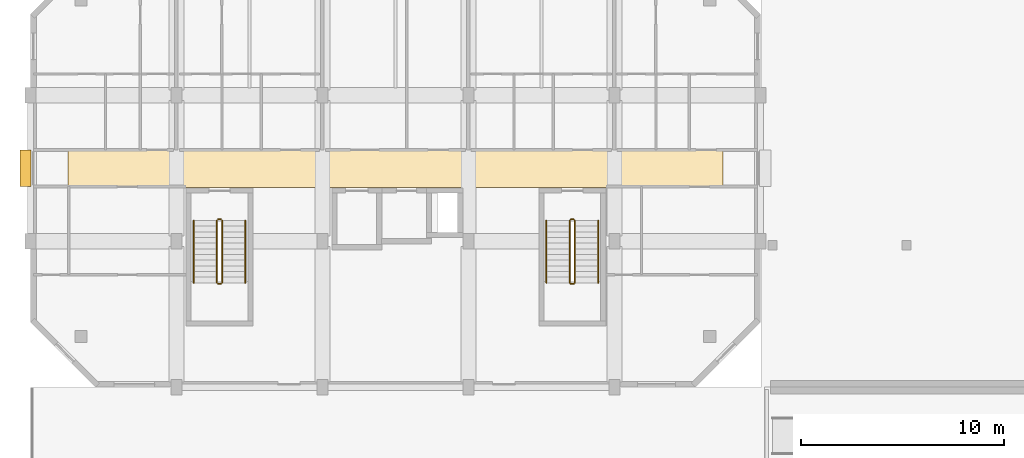
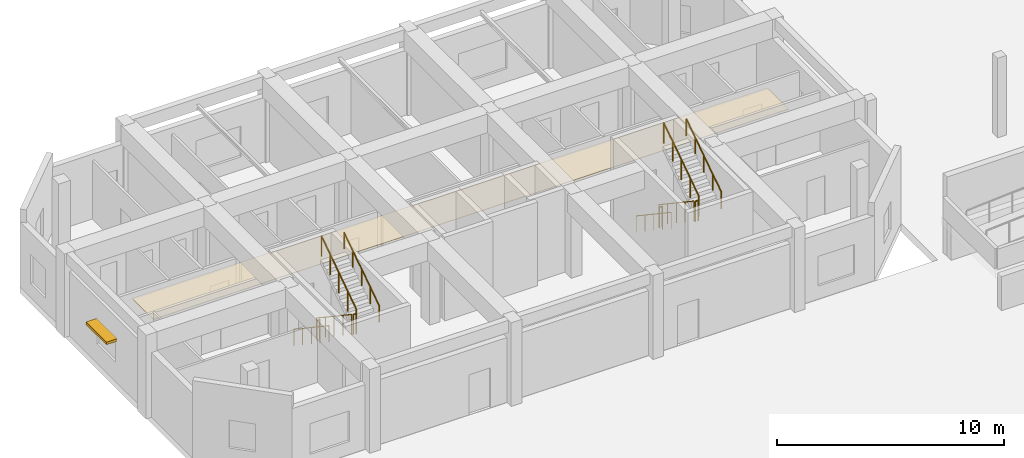
# One storey, part 77 of 85: 12 railings, 1 covering, 1 shading device.
"""IFC4 building model written with IfcOpenShell, lengths in metres."""

from ifc_helpers import new_model, si_unit, direction, frame, origin, origin_2d, place, context, subcontext, project, spatial, polyline, rectangle, circle, outline, extrude, material, layer, layer_set, type_object, element, save


model = new_model("IFC4")

# Units and contexts
model_context = context("Model", 3, precision=1e-05, world=origin(), true_north=direction((0.0, 1.0)))
body_context = subcontext(model_context, "Body", "Model", "MODEL_VIEW")
ifc_project = project(units=[si_unit("LENGTHUNIT", "METRE"), si_unit("AREAUNIT", "SQUARE_METRE"), si_unit("VOLUMEUNIT", "CUBIC_METRE"), si_unit("PLANEANGLEUNIT", "RADIAN"), si_unit("MASSUNIT", "GRAM", prefix="KILO")], contexts=[model_context])

# Site, building, storey
site_placement = place(None, origin())
site = spatial("IfcSite", under=ifc_project, at=site_placement, CompositionType="ELEMENT")
building_placement = place(site_placement, origin())
building = spatial("IfcBuilding", under=site, at=building_placement, Name="Ochrevale Crest", CompositionType="ELEMENT")
storey_placement = place(building_placement, origin())
storey = spatial("IfcBuildingStorey", under=building, at=storey_placement, Name="L00", CompositionType="ELEMENT", Elevation=0.0)

# Covering
ifc_material_1 = material(Name="Gypsum plasterboard", Category="gypsum")
ifc_layer = layer(ifc_material_1, 0.02490234375)
ifc_layer_set = layer_set([ifc_layer], Name="Gypsum plasterboard")
covering_type = type_object("IfcCoveringType", Name="COV-CEIL-GYP", PredefinedType="CEILING", material=ifc_layer_set)
covering_placement = place(storey_placement, frame((0.0, 0.0, 2.75)))
element("IfcCovering", 1, at=covering_placement, inside=storey, type_object=covering_type, Name="Block B L00 acoustic corridor ceiling", PredefinedType="CEILING", context=body_context, shape_type="SweptSolid", body=[
    extrude(outline(polyline([(1.85009765625, 81.860107421875), (34.14990234375, 81.860107421875), (34.14990234375, 83.739990234375), (1.85009765625, 83.739990234375), (1.85009765625, 81.860107421875)])), origin(), (0.0, 0.0, 1.0), 0.02490234375),
])

# Railings
ifc_material_2 = material(Name="Galvanised steel", Category="steel")
railing_type_1 = type_object("IfcRailingType", Name="RL-ST-GUARD", PredefinedType="BALUSTRADE", material=ifc_material_2)
railing_1_placement = place(storey_placement, frame((9.199951171875, 80.22509765625, 0.1875)))
element("IfcRailing", 2, at=railing_1_placement, inside=storey, type_object=railing_type_1, Name="L00 ST-B1 stair guard 1", PredefinedType="BALUSTRADE", context=body_context, shape_type="SweptSolid", body=[
    extrude(circle(Radius=0.02392578125, at=origin_2d()), frame((0.0, 0.0, 1.076171875), z_axis=(0.0, -0.830913701846, 0.55640131208), x_axis=(1.0, 0.0, 0.0)), (0.0, 0.0, 1.0), 3.706787109375),
    extrude(circle(Radius=0.02099609375, at=origin_2d()), origin(), (0.0, 0.0, 1.0), 1.052001953125),
    extrude(circle(Radius=0.02099609375, at=origin_2d()), frame((0.0, -0.77001953125, 0.515625)), (0.0, 0.0, 1.0), 1.052001953125),
    extrude(circle(Radius=0.02099609375, at=origin_2d()), frame((0.0, -1.5400390625, 1.03125)), (0.0, 0.0, 1.0), 1.052001953125),
    extrude(circle(Radius=0.02099609375, at=origin_2d()), frame((0.0, -2.31005859375, 1.546875)), (0.0, 0.0, 1.0), 1.052001953125),
    extrude(circle(Radius=0.02099609375, at=origin_2d()), frame((0.0, -3.080078125, 2.0625)), (0.0, 0.0, 1.0), 1.052001953125),
])
railing_2_placement = place(storey_placement, frame((9.25, 77.094970703125, 2.25)))
element("IfcRailing", 3, at=railing_2_placement, inside=storey, type_object=railing_type_1, Name="L00 ST-B1 stair guard 2", PredefinedType="BALUSTRADE", context=body_context, shape_type="SweptSolid", body=[
    extrude(circle(Radius=0.02392578125, at=origin_2d()), frame((0.0, 0.0, 1.076171875), z_axis=(1.0, 0.0, 0.0), x_axis=(0.0, 1.0, 0.0)), (0.0, 0.0, 1.0), 0.14990234375),
    extrude(circle(Radius=0.02099609375, at=origin_2d()), origin(), (0.0, 0.0, 1.0), 1.052001953125),
    extrude(circle(Radius=0.02099609375, at=origin_2d()), frame((0.14990234375, 0.0, 0.0)), (0.0, 0.0, 1.0), 1.052001953125),
])
railing_3_placement = place(storey_placement, frame((9.449951171875, 77.14501953125, 2.4375)))
element("IfcRailing", 4, at=railing_3_placement, inside=storey, type_object=railing_type_1, Name="L00 ST-B1 stair guard 3", PredefinedType="BALUSTRADE", context=body_context, shape_type="SweptSolid", body=[
    extrude(circle(Radius=0.02392578125, at=origin_2d()), frame((0.0, 0.0, 1.076171875), z_axis=(0.0, 0.830913701846, 0.55640131208), x_axis=(-1.0, 0.0, 0.0)), (0.0, 0.0, 1.0), 3.706787109375),
    extrude(circle(Radius=0.02099609375, at=origin_2d()), origin(), (0.0, 0.0, 1.0), 1.052001953125),
    extrude(circle(Radius=0.02099609375, at=origin_2d()), frame((0.0, 0.77001953125, 0.515625)), (0.0, 0.0, 1.0), 1.052001953125),
    extrude(circle(Radius=0.02099609375, at=origin_2d()), frame((0.0, 1.5400390625, 1.03125)), (0.0, 0.0, 1.0), 1.052001953125),
    extrude(circle(Radius=0.02099609375, at=origin_2d()), frame((0.0, 2.31005859375, 1.546875)), (0.0, 0.0, 1.0), 1.052001953125),
    extrude(circle(Radius=0.02099609375, at=origin_2d()), frame((0.0, 3.080078125, 2.0625)), (0.0, 0.0, 1.0), 1.052001953125),
])
railing_4_placement = place(storey_placement, frame((9.25, 80.27490234375, 0.0)))
element("IfcRailing", 5, at=railing_4_placement, inside=storey, type_object=railing_type_1, Name="L00 ST-B1 stair guard 4", PredefinedType="BALUSTRADE", context=body_context, shape_type="SweptSolid", body=[
    extrude(circle(Radius=0.02392578125, at=origin_2d()), frame((0.0, 0.0, 1.076171875), z_axis=(1.0, 0.0, 0.0), x_axis=(0.0, 1.0, 0.0)), (0.0, 0.0, 1.0), 0.14990234375),
    extrude(circle(Radius=0.02099609375, at=origin_2d()), origin(), (0.0, 0.0, 1.0), 1.052001953125),
    extrude(circle(Radius=0.02099609375, at=origin_2d()), frame((0.14990234375, 0.0, 0.0)), (0.0, 0.0, 1.0), 1.052001953125),
])
railing_5_placement = place(storey_placement, frame((26.60009765625, 80.22509765625, 0.1875)))
element("IfcRailing", 6, at=railing_5_placement, inside=storey, type_object=railing_type_1, Name="L00 ST-B2 stair guard 1", PredefinedType="BALUSTRADE", context=body_context, shape_type="SweptSolid", body=[
    extrude(circle(Radius=0.02392578125, at=origin_2d()), frame((0.0, 0.0, 1.076171875), z_axis=(0.0, -0.830913701846, 0.55640131208), x_axis=(1.0, 0.0, 0.0)), (0.0, 0.0, 1.0), 3.706787109375),
    extrude(circle(Radius=0.02099609375, at=origin_2d()), origin(), (0.0, 0.0, 1.0), 1.052001953125),
    extrude(circle(Radius=0.02099609375, at=origin_2d()), frame((0.0, -0.77001953125, 0.515625)), (0.0, 0.0, 1.0), 1.052001953125),
    extrude(circle(Radius=0.02099609375, at=origin_2d()), frame((0.0, -1.5400390625, 1.03125)), (0.0, 0.0, 1.0), 1.052001953125),
    extrude(circle(Radius=0.02099609375, at=origin_2d()), frame((0.0, -2.31005859375, 1.546875)), (0.0, 0.0, 1.0), 1.052001953125),
    extrude(circle(Radius=0.02099609375, at=origin_2d()), frame((0.0, -3.080078125, 2.0625)), (0.0, 0.0, 1.0), 1.052001953125),
])
railing_6_placement = place(storey_placement, frame((26.64990234375, 77.094970703125, 2.25)))
element("IfcRailing", 7, at=railing_6_placement, inside=storey, type_object=railing_type_1, Name="L00 ST-B2 stair guard 2", PredefinedType="BALUSTRADE", context=body_context, shape_type="SweptSolid", body=[
    extrude(circle(Radius=0.02392578125, at=origin_2d()), frame((0.0, 0.0, 1.076171875), z_axis=(1.0, 0.0, 0.0), x_axis=(0.0, 1.0, 0.0)), (0.0, 0.0, 1.0), 0.150146484375),
    extrude(circle(Radius=0.02099609375, at=origin_2d()), origin(), (0.0, 0.0, 1.0), 1.052001953125),
    extrude(circle(Radius=0.02099609375, at=origin_2d()), frame((0.150146484375, 0.0, 0.0)), (0.0, 0.0, 1.0), 1.052001953125),
])
railing_7_placement = place(storey_placement, frame((26.85009765625, 77.14501953125, 2.4375)))
element("IfcRailing", 8, at=railing_7_placement, inside=storey, type_object=railing_type_1, Name="L00 ST-B2 stair guard 3", PredefinedType="BALUSTRADE", context=body_context, shape_type="SweptSolid", body=[
    extrude(circle(Radius=0.02392578125, at=origin_2d()), frame((0.0, 0.0, 1.076171875), z_axis=(0.0, 0.830913701846, 0.55640131208), x_axis=(-1.0, 0.0, 0.0)), (0.0, 0.0, 1.0), 3.706787109375),
    extrude(circle(Radius=0.02099609375, at=origin_2d()), origin(), (0.0, 0.0, 1.0), 1.052001953125),
    extrude(circle(Radius=0.02099609375, at=origin_2d()), frame((0.0, 0.77001953125, 0.515625)), (0.0, 0.0, 1.0), 1.052001953125),
    extrude(circle(Radius=0.02099609375, at=origin_2d()), frame((0.0, 1.5400390625, 1.03125)), (0.0, 0.0, 1.0), 1.052001953125),
    extrude(circle(Radius=0.02099609375, at=origin_2d()), frame((0.0, 2.31005859375, 1.546875)), (0.0, 0.0, 1.0), 1.052001953125),
    extrude(circle(Radius=0.02099609375, at=origin_2d()), frame((0.0, 3.080078125, 2.0625)), (0.0, 0.0, 1.0), 1.052001953125),
])
railing_8_placement = place(storey_placement, frame((26.64990234375, 80.27490234375, 0.0)))
element("IfcRailing", 9, at=railing_8_placement, inside=storey, type_object=railing_type_1, Name="L00 ST-B2 stair guard 4", PredefinedType="BALUSTRADE", context=body_context, shape_type="SweptSolid", body=[
    extrude(circle(Radius=0.02392578125, at=origin_2d()), frame((0.0, 0.0, 1.076171875), z_axis=(1.0, 0.0, 0.0), x_axis=(0.0, 1.0, 0.0)), (0.0, 0.0, 1.0), 0.150146484375),
    extrude(circle(Radius=0.02099609375, at=origin_2d()), origin(), (0.0, 0.0, 1.0), 1.052001953125),
    extrude(circle(Radius=0.02099609375, at=origin_2d()), frame((0.150146484375, 0.0, 0.0)), (0.0, 0.0, 1.0), 1.052001953125),
])
ifc_material_3 = material(Name="Stainless steel", Category="steel")
railing_type_2 = type_object("IfcRailingType", Name="RL-ST-HRAIL", PredefinedType="HANDRAIL", material=ifc_material_3)
railing_9_placement = place(storey_placement, frame((8.050048828125, 80.22509765625, 0.1875)))
element("IfcRailing", 10, at=railing_9_placement, inside=storey, type_object=railing_type_2, Name="L00 ST-B1 stair handrail 1", PredefinedType="HANDRAIL", context=body_context, shape_type="SweptSolid", body=[
    extrude(circle(Radius=0.02392578125, at=origin_2d()), frame((0.0, 0.0, 0.8759765625), z_axis=(0.0, -0.830913701846, 0.55640131208), x_axis=(1.0, 0.0, 0.0)), (0.0, 0.0, 1.0), 3.706787109375),
    extrude(circle(Radius=0.02099609375, at=origin_2d()), origin(), (0.0, 0.0, 1.0), 0.851806640625),
    extrude(circle(Radius=0.02099609375, at=origin_2d()), frame((0.0, -0.77001953125, 0.515625)), (0.0, 0.0, 1.0), 0.851806640625),
    extrude(circle(Radius=0.02099609375, at=origin_2d()), frame((0.0, -1.5400390625, 1.03125)), (0.0, 0.0, 1.0), 0.851806640625),
    extrude(circle(Radius=0.02099609375, at=origin_2d()), frame((0.0, -2.31005859375, 1.546875)), (0.0, 0.0, 1.0), 0.851806640625),
    extrude(circle(Radius=0.02099609375, at=origin_2d()), frame((0.0, -3.080078125, 2.0625)), (0.0, 0.0, 1.0), 0.851806640625),
])
railing_10_placement = place(storey_placement, frame((10.60009765625, 77.14501953125, 2.4375)))
element("IfcRailing", 11, at=railing_10_placement, inside=storey, type_object=railing_type_2, Name="L00 ST-B1 stair handrail 2", PredefinedType="HANDRAIL", context=body_context, shape_type="SweptSolid", body=[
    extrude(circle(Radius=0.02392578125, at=origin_2d()), frame((0.0, 0.0, 0.8759765625), z_axis=(0.0, 0.830913701846, 0.55640131208), x_axis=(-1.0, 0.0, 0.0)), (0.0, 0.0, 1.0), 3.706787109375),
    extrude(circle(Radius=0.02099609375, at=origin_2d()), origin(), (0.0, 0.0, 1.0), 0.851806640625),
    extrude(circle(Radius=0.02099609375, at=origin_2d()), frame((0.0, 0.77001953125, 0.515625)), (0.0, 0.0, 1.0), 0.851806640625),
    extrude(circle(Radius=0.02099609375, at=origin_2d()), frame((0.0, 1.5400390625, 1.03125)), (0.0, 0.0, 1.0), 0.851806640625),
    extrude(circle(Radius=0.02099609375, at=origin_2d()), frame((0.0, 2.31005859375, 1.546875)), (0.0, 0.0, 1.0), 0.851806640625),
    extrude(circle(Radius=0.02099609375, at=origin_2d()), frame((0.0, 3.080078125, 2.0625)), (0.0, 0.0, 1.0), 0.851806640625),
])
railing_11_placement = place(storey_placement, frame((25.449951171875, 80.22509765625, 0.1875)))
element("IfcRailing", 12, at=railing_11_placement, inside=storey, type_object=railing_type_2, Name="L00 ST-B2 stair handrail 1", PredefinedType="HANDRAIL", context=body_context, shape_type="SweptSolid", body=[
    extrude(circle(Radius=0.02392578125, at=origin_2d()), frame((0.0, 0.0, 0.8759765625), z_axis=(0.0, -0.830913701846, 0.55640131208), x_axis=(1.0, 0.0, 0.0)), (0.0, 0.0, 1.0), 3.706787109375),
    extrude(circle(Radius=0.02099609375, at=origin_2d()), origin(), (0.0, 0.0, 1.0), 0.851806640625),
    extrude(circle(Radius=0.02099609375, at=origin_2d()), frame((0.0, -0.77001953125, 0.515625)), (0.0, 0.0, 1.0), 0.851806640625),
    extrude(circle(Radius=0.02099609375, at=origin_2d()), frame((0.0, -1.5400390625, 1.03125)), (0.0, 0.0, 1.0), 0.851806640625),
    extrude(circle(Radius=0.02099609375, at=origin_2d()), frame((0.0, -2.31005859375, 1.546875)), (0.0, 0.0, 1.0), 0.851806640625),
    extrude(circle(Radius=0.02099609375, at=origin_2d()), frame((0.0, -3.080078125, 2.0625)), (0.0, 0.0, 1.0), 0.851806640625),
])
railing_12_placement = place(storey_placement, frame((28.0, 77.14501953125, 2.4375)))
element("IfcRailing", 13, at=railing_12_placement, inside=storey, type_object=railing_type_2, Name="L00 ST-B2 stair handrail 2", PredefinedType="HANDRAIL", context=body_context, shape_type="SweptSolid", body=[
    extrude(circle(Radius=0.02392578125, at=origin_2d()), frame((0.0, 0.0, 0.8759765625), z_axis=(0.0, 0.830913701846, 0.55640131208), x_axis=(-1.0, 0.0, 0.0)), (0.0, 0.0, 1.0), 3.706787109375),
    extrude(circle(Radius=0.02099609375, at=origin_2d()), origin(), (0.0, 0.0, 1.0), 0.851806640625),
    extrude(circle(Radius=0.02099609375, at=origin_2d()), frame((0.0, 0.77001953125, 0.515625)), (0.0, 0.0, 1.0), 0.851806640625),
    extrude(circle(Radius=0.02099609375, at=origin_2d()), frame((0.0, 1.5400390625, 1.03125)), (0.0, 0.0, 1.0), 0.851806640625),
    extrude(circle(Radius=0.02099609375, at=origin_2d()), frame((0.0, 2.31005859375, 1.546875)), (0.0, 0.0, 1.0), 0.851806640625),
    extrude(circle(Radius=0.02099609375, at=origin_2d()), frame((0.0, 3.080078125, 2.0625)), (0.0, 0.0, 1.0), 0.851806640625),
])

# Shading device
ifc_material_4 = material(Name="Anodised aluminium 6063-T5", Category="aluminium")
shading_device_type = type_object("IfcShadingDeviceType", Name="SHD-SUNSHADE-OC", PredefinedType="USERDEFINED", material=ifc_material_4)
shading_device_placement = place(storey_placement, frame((-0.239990234375, 82.800048828125, 2.2099609375), z_axis=(0.0, 0.0, 1.0), x_axis=(1.0, 0.0, 0.0)))
element("IfcShadingDevice", 14, at=shading_device_placement, inside=storey, type_object=shading_device_type, Name="Block B L00 gable window sunshade W", ObjectType="HORIZONTAL SUNSHADE", PredefinedType="USERDEFINED", context=body_context, shape_type="SweptSolid", body=[
    extrude(rectangle(XDim=0.550048828125, YDim=1.800048828125, at=origin_2d()), origin(), (0.0, 0.0, 1.0), 0.139892578125),
])

save(model, "model.ifc")
